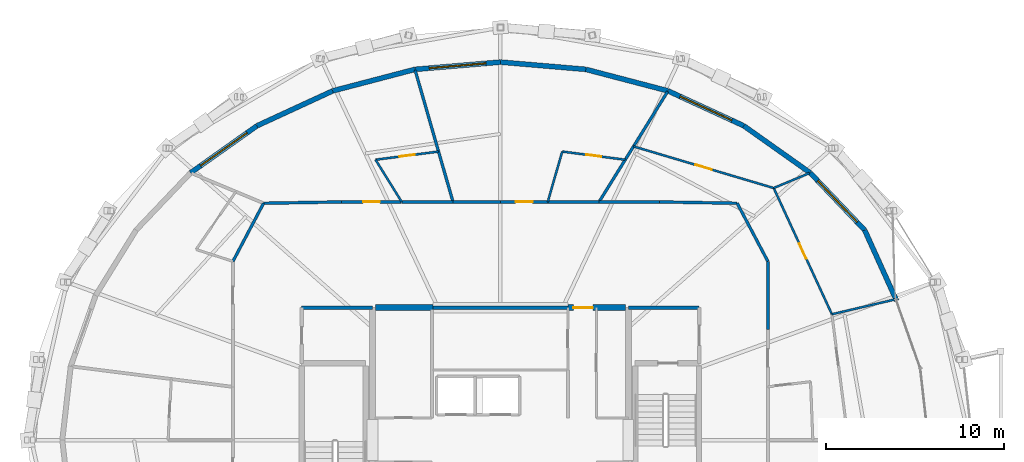
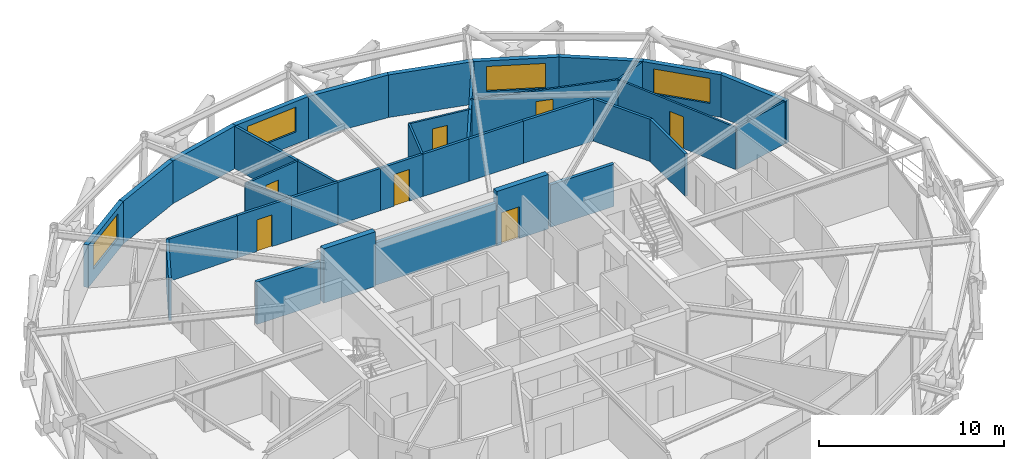
# One storey, part 15 of 17: 36 walls, 7 doors, 4 windows, 11 openings.
"""IFC4 building model written with IfcOpenShell, lengths in metres."""

from ifc_helpers import new_model, si_unit, direction, frame, frame_2d, origin, place, context, subcontext, project, spatial, rectangle, extrude, material, layer, layer_set, type_object, element, fill, save


model = new_model("IFC4")

# Units and contexts
model_context = context("Model", 3, precision=1e-05, world=origin(), true_north=direction((0.0, 1.0)))
body_context = subcontext(model_context, "Body", "Model", "MODEL_VIEW")
ifc_project = project(units=[si_unit("LENGTHUNIT", "METRE"), si_unit("AREAUNIT", "SQUARE_METRE"), si_unit("VOLUMEUNIT", "CUBIC_METRE"), si_unit("PLANEANGLEUNIT", "RADIAN"), si_unit("MASSUNIT", "GRAM", prefix="KILO")], contexts=[model_context])

# Site, building, storey
site_placement = place(None, origin())
site = spatial("IfcSite", under=ifc_project, at=site_placement, CompositionType="ELEMENT")
building_placement = place(site_placement, origin())
building = spatial("IfcBuilding", under=site, at=building_placement, Name="Veldorina Hangang Commons", CompositionType="ELEMENT")
storey_placement = place(building_placement, frame((0.0, 0.0, 196.39990234375)))
storey = spatial("IfcBuildingStorey", under=building, at=storey_placement, Name="L51", CompositionType="ELEMENT", Elevation=196.39990234375)

# Wall
ifc_material_1 = material(Name="Concrete C60/75", Category="concrete")
ifc_layer_1 = layer(ifc_material_1, 0.340087890625)
ifc_layer_set_1 = layer_set([ifc_layer_1], Name="Concrete C60/75")
wall_type_1 = type_object("IfcWallType", Name="CW-RC340-C60", PredefinedType="SHEAR", material=ifc_layer_set_1)
wall_1_placement = place(storey_placement, frame((24.969970703125, 31.449951171875, 0.0), z_axis=(0.0, 0.0, 1.0), x_axis=(1.0, 0.0, 0.0)))
element("IfcWall", 1, at=wall_1_placement, inside=storey, type_object=wall_type_1, Name="L51 north-west core shear wall", PredefinedType="SHEAR", context=body_context, shape_type="SweptSolid", body=[
    extrude(rectangle(XDim=3.22998046875, YDim=0.340087890625, at=frame_2d((1.614990234375, 0.0))), origin(), (0.0, 0.0, 1.0), 3.60009765625),
])

# Wall, opening, door
wall_2_placement = place(storey_placement, frame((35.800048828125, 31.449951171875, 0.0), z_axis=(0.0, 0.0, 1.0), x_axis=(1.0, 0.0, 0.0)))
wall_2 = element("IfcWall", 2, at=wall_2_placement, inside=storey, type_object=wall_type_1, Name="L51 north-east core shear wall", PredefinedType="SHEAR", context=body_context, shape_type="SweptSolid", body=[
    extrude(rectangle(XDim=3.22998046875, YDim=0.340087890625, at=frame_2d((1.614990234375, 0.0))), origin(), (0.0, 0.0, 1.0), 3.60009765625),
])
opening_1_placement = place(wall_2_placement, frame((0.300048828125, 0.0, 0.0)))
opening_1 = element("IfcOpeningElement", 3, at=opening_1_placement, cuts=wall_2, Name="Opening D-08", PredefinedType="OPENING", context=body_context, shape_type="SweptSolid", body=[
    extrude(rectangle(XDim=1.10009765625, YDim=2.10009765625, at=frame_2d((0.550048828125, 1.050048828125))), frame((0.0, 0.18017578125, 0.0), z_axis=(0.0, -1.0, 0.0), x_axis=(1.0, 0.0, 0.0)), (0.0, 0.0, 1.0), 0.360107421875),
])
ifc_material_2 = material(Name="Steel Fire-Rated Smoke Seal", Category="steel")
door_type_1 = type_object("IfcDoorType", Name="DR-FIRE-1100", OperationType="SINGLE_SWING_RIGHT", PredefinedType="DOOR", material=ifc_material_2)
door_1_placement = place(opening_1_placement, origin())
door_1 = element("IfcDoor", 4, at=door_1_placement, inside=storey, type_object=door_type_1, Name="L51 central lift lobby north corridor door", OperationType="SINGLE_SWING_LEFT", OverallHeight=2.10009765625, OverallWidth=1.10009765625, PredefinedType="DOOR", context=body_context, shape_type="SweptSolid", body=[
    extrude(rectangle(XDim=1.10009765625, YDim=2.10009765625, at=frame_2d((0.550048828125, 1.050048828125))), frame((0.0, 0.02490234375, 0.0), z_axis=(0.0, -1.0, 0.0), x_axis=(1.0, 0.0, 0.0)), (0.0, 0.0, 1.0), 0.050048828125),
])
fill(opening_1, door_1)

# Wall
ifc_material_3 = material(Name="Stone Roman Travertine", Category="masonry")
ifc_layer_2 = layer(ifc_material_3, 0.280029296875)
ifc_layer_set_2 = layer_set([ifc_layer_2], Name="Stone Roman Travertine")
wall_type_2 = type_object("IfcWallType", Name="EW-TRAV-280", PredefinedType="STANDARD", material=ifc_layer_set_2)
wall_3_placement = place(storey_placement, frame((54.2958984375, 31.840576171875, 0.0), z_axis=(0.0, 0.0, 1.0), x_axis=(-0.41225081931, 0.911070393536, 0.0)))
element("IfcWall", 5, at=wall_3_placement, inside=storey, type_object=wall_type_2, Name="L51 travertine facade wall 02", PredefinedType="STANDARD", context=body_context, shape_type="SweptSolid", body=[
    extrude(rectangle(XDim=4.36279296875, YDim=0.280029296875, at=frame_2d((2.181396484375, 0.0))), origin(), (0.0, 0.0, 1.0), 2.820068359375),
])

# Wall, opening, window
wall_4_placement = place(storey_placement, frame((52.497314453125, 35.8154296875, 0.0), z_axis=(0.0, 0.0, 1.0), x_axis=(-0.689241173538, 0.724531990115, 0.0)))
wall_4 = element("IfcWall", 6, at=wall_4_placement, inside=storey, type_object=wall_type_2, Name="L51 travertine facade wall 03", PredefinedType="STANDARD", context=body_context, shape_type="SweptSolid", body=[
    extrude(rectangle(XDim=4.4482421875, YDim=0.280029296875, at=frame_2d((2.22412109375, 0.0))), origin(), (0.0, 0.0, 1.0), 2.820068359375),
])
opening_2_placement = place(wall_4_placement, frame((0.6240234375, 0.0, 0.800048828125)))
opening_2 = element("IfcOpeningElement", 7, at=opening_2_placement, cuts=wall_4, Name="Opening W-01", PredefinedType="OPENING", context=body_context, shape_type="SweptSolid", body=[
    extrude(rectangle(XDim=3.199951171875, YDim=1.64990234375, at=frame_2d((1.60009765625, 0.824951171875))), frame((0.0, 0.14990234375, 0.0), z_axis=(0.0, -1.0, 0.0), x_axis=(1.0, 0.0, 0.0)), (0.0, 0.0, 1.0), 0.300048828125),
])
ifc_material_4 = material(Name="Glass Low-E Triple IGU", Category="glass")
window_type = type_object("IfcWindowType", Name="WIN-TWR-3200", PartitioningType="SINGLE_PANEL", PredefinedType="WINDOW", material=ifc_material_4)
window_1_placement = place(opening_2_placement, origin())
window_1 = element("IfcWindow", 8, at=window_1_placement, inside=storey, type_object=window_type, Name="L51 facade window 03", OverallHeight=1.64990234375, OverallWidth=3.199951171875, PartitioningType="SINGLE_PANEL", PredefinedType="WINDOW", context=body_context, shape_type="SweptSolid", body=[
    extrude(rectangle(XDim=3.199951171875, YDim=1.64990234375, at=frame_2d((1.60009765625, 0.824951171875))), frame((0.0, 0.030029296875, 0.0), z_axis=(0.0, -1.0, 0.0), x_axis=(1.0, 0.0, 0.0)), (0.0, 0.0, 1.0), 0.06005859375),
])
fill(opening_2, window_1)

# Wall
wall_5_placement = place(storey_placement, frame((49.431396484375, 39.038330078125, 0.0), z_axis=(0.0, 0.0, 1.0), x_axis=(-0.81615549773, 0.577832331672, 0.0)))
element("IfcWall", 9, at=wall_5_placement, inside=storey, type_object=wall_type_2, Name="L51 travertine facade wall 04", PredefinedType="STANDARD", context=body_context, shape_type="SweptSolid", body=[
    extrude(rectangle(XDim=4.5771484375, YDim=0.280029296875, at=frame_2d((2.28857421875, 0.0))), origin(), (0.0, 0.0, 1.0), 2.820068359375),
])

# Wall, opening, window
wall_6_placement = place(storey_placement, frame((45.69580078125, 41.68310546875, 0.0), z_axis=(0.0, 0.0, 1.0), x_axis=(-0.908099405027, 0.41875466635, 0.0)))
wall_6 = element("IfcWall", 10, at=wall_6_placement, inside=storey, type_object=wall_type_2, Name="L51 travertine facade wall 05", PredefinedType="STANDARD", context=body_context, shape_type="SweptSolid", body=[
    extrude(rectangle(XDim=4.693359375, YDim=0.280029296875, at=frame_2d((2.3466796875, 0.0))), origin(), (0.0, 0.0, 1.0), 2.820068359375),
])
opening_3_placement = place(wall_6_placement, frame((0.74658203125, 0.0, 0.800048828125)))
opening_3 = element("IfcOpeningElement", 11, at=opening_3_placement, cuts=wall_6, Name="Opening W-01", PredefinedType="OPENING", context=body_context, shape_type="SweptSolid", body=[
    extrude(rectangle(XDim=3.199951171875, YDim=1.64990234375, at=frame_2d((1.60009765625, 0.824951171875))), frame((0.0, 0.14990234375, 0.0), z_axis=(0.0, -1.0, 0.0), x_axis=(1.0, 0.0, 0.0)), (0.0, 0.0, 1.0), 0.300048828125),
])
window_2_placement = place(opening_3_placement, origin())
window_2 = element("IfcWindow", 12, at=window_2_placement, inside=storey, type_object=window_type, Name="L51 facade window 05", OverallHeight=1.64990234375, OverallWidth=3.199951171875, PartitioningType="SINGLE_PANEL", PredefinedType="WINDOW", context=body_context, shape_type="SweptSolid", body=[
    extrude(rectangle(XDim=3.199951171875, YDim=1.64990234375, at=frame_2d((1.60009765625, 0.824951171875))), frame((0.0, 0.030029296875, 0.0), z_axis=(0.0, -1.0, 0.0), x_axis=(1.0, 0.0, 0.0)), (0.0, 0.0, 1.0), 0.06005859375),
])
fill(opening_3, window_2)

# Walls
wall_7_placement = place(storey_placement, frame((41.433837890625, 43.6484375, 0.0), z_axis=(0.0, 0.0, 1.0), x_axis=(-0.967422274867, 0.253168209086, 0.0)))
element("IfcWall", 13, at=wall_7_placement, inside=storey, type_object=wall_type_2, Name="L51 travertine facade wall 06", PredefinedType="STANDARD", context=body_context, shape_type="SweptSolid", body=[
    extrude(rectangle(XDim=4.7802734375, YDim=0.280029296875, at=frame_2d((2.39013671875, 0.0))), origin(), (0.0, 0.0, 1.0), 2.820068359375),
])
wall_8_placement = place(storey_placement, frame((36.809326171875, 44.858642578125, 0.0), z_axis=(0.0, 0.0, 1.0), x_axis=(-0.996408729368, 0.084673750595, 0.0)))
element("IfcWall", 14, at=wall_8_placement, inside=storey, type_object=wall_type_2, Name="L51 travertine facade wall 07", PredefinedType="STANDARD", context=body_context, shape_type="SweptSolid", body=[
    extrude(rectangle(XDim=4.82666015625, YDim=0.280029296875, at=frame_2d((2.413330078125, 0.0))), origin(), (0.0, 0.0, 1.0), 2.820068359375),
])

# Wall, opening, window
wall_9_placement = place(storey_placement, frame((32.0, 45.267333984375, 0.0), z_axis=(0.0, 0.0, 1.0), x_axis=(-0.996408729368, -0.084673750595, 0.0)))
wall_9 = element("IfcWall", 15, at=wall_9_placement, inside=storey, type_object=wall_type_2, Name="L51 travertine facade wall 08", PredefinedType="STANDARD", context=body_context, shape_type="SweptSolid", body=[
    extrude(rectangle(XDim=4.82666015625, YDim=0.280029296875, at=frame_2d((2.413330078125, 0.0))), origin(), (0.0, 0.0, 1.0), 2.820068359375),
])
opening_4_placement = place(wall_9_placement, frame((0.813232421875, 0.0, 0.800048828125)))
opening_4 = element("IfcOpeningElement", 16, at=opening_4_placement, cuts=wall_9, Name="Opening W-01", PredefinedType="OPENING", context=body_context, shape_type="SweptSolid", body=[
    extrude(rectangle(XDim=3.199951171875, YDim=1.64990234375, at=frame_2d((1.60009765625, 0.824951171875))), frame((0.0, 0.14990234375, 0.0), z_axis=(0.0, -1.0, 0.0), x_axis=(1.0, 0.0, 0.0)), (0.0, 0.0, 1.0), 0.300048828125),
])
window_3_placement = place(opening_4_placement, origin())
window_3 = element("IfcWindow", 17, at=window_3_placement, inside=storey, type_object=window_type, Name="L51 facade window 08", OverallHeight=1.64990234375, OverallWidth=3.199951171875, PartitioningType="SINGLE_PANEL", PredefinedType="WINDOW", context=body_context, shape_type="SweptSolid", body=[
    extrude(rectangle(XDim=3.199951171875, YDim=1.64990234375, at=frame_2d((1.60009765625, 0.824951171875))), frame((0.0, 0.030029296875, 0.0), z_axis=(0.0, -1.0, 0.0), x_axis=(1.0, 0.0, 0.0)), (0.0, 0.0, 1.0), 0.06005859375),
])
fill(opening_4, window_3)

# Walls
wall_10_placement = place(storey_placement, frame((27.190673828125, 44.858642578125, 0.0), z_axis=(0.0, 0.0, 1.0), x_axis=(-0.967422274867, -0.253168209086, 0.0)))
element("IfcWall", 18, at=wall_10_placement, inside=storey, type_object=wall_type_2, Name="L51 travertine facade wall 09", PredefinedType="STANDARD", context=body_context, shape_type="SweptSolid", body=[
    extrude(rectangle(XDim=4.7802734375, YDim=0.280029296875, at=frame_2d((2.39013671875, 0.0))), origin(), (0.0, 0.0, 1.0), 2.820068359375),
])
wall_11_placement = place(storey_placement, frame((22.566162109375, 43.6484375, 0.0), z_axis=(0.0, 0.0, 1.0), x_axis=(-0.908099405027, -0.41875466635, 0.0)))
element("IfcWall", 19, at=wall_11_placement, inside=storey, type_object=wall_type_2, Name="L51 travertine facade wall 10", PredefinedType="STANDARD", context=body_context, shape_type="SweptSolid", body=[
    extrude(rectangle(XDim=4.693359375, YDim=0.280029296875, at=frame_2d((2.3466796875, 0.0))), origin(), (0.0, 0.0, 1.0), 2.820068359375),
])

# Wall, opening, window
wall_12_placement = place(storey_placement, frame((18.30419921875, 41.68310546875, 0.0), z_axis=(0.0, 0.0, 1.0), x_axis=(-0.81615549773, -0.577832331672, 0.0)))
wall_12 = element("IfcWall", 20, at=wall_12_placement, inside=storey, type_object=wall_type_2, Name="L51 travertine facade wall 11", PredefinedType="STANDARD", context=body_context, shape_type="SweptSolid", body=[
    extrude(rectangle(XDim=4.5771484375, YDim=0.280029296875, at=frame_2d((2.28857421875, 0.0))), origin(), (0.0, 0.0, 1.0), 2.820068359375),
])
opening_5_placement = place(wall_12_placement, frame((0.6884765625, 0.0, 0.800048828125)))
opening_5 = element("IfcOpeningElement", 21, at=opening_5_placement, cuts=wall_12, Name="Opening W-01", PredefinedType="OPENING", context=body_context, shape_type="SweptSolid", body=[
    extrude(rectangle(XDim=3.199951171875, YDim=1.64990234375, at=frame_2d((1.60009765625, 0.824951171875))), frame((0.0, 0.14990234375, 0.0), z_axis=(0.0, -1.0, 0.0), x_axis=(1.0, 0.0, 0.0)), (0.0, 0.0, 1.0), 0.300048828125),
])
window_4_placement = place(opening_5_placement, origin())
window_4 = element("IfcWindow", 22, at=window_4_placement, inside=storey, type_object=window_type, Name="L51 facade window 11", OverallHeight=1.64990234375, OverallWidth=3.199951171875, PartitioningType="SINGLE_PANEL", PredefinedType="WINDOW", context=body_context, shape_type="SweptSolid", body=[
    extrude(rectangle(XDim=3.199951171875, YDim=1.64990234375, at=frame_2d((1.60009765625, 0.824951171875))), frame((0.0, 0.030029296875, 0.0), z_axis=(0.0, -1.0, 0.0), x_axis=(1.0, 0.0, 0.0)), (0.0, 0.0, 1.0), 0.06005859375),
])
fill(opening_5, window_4)

# Walls
ifc_material_5 = material(Name="Gypsum Fire-Rated Twin Stud Wall", Category="gypsum")
ifc_layer_3 = layer(ifc_material_5, 0.159912109375)
ifc_layer_set_3 = layer_set([ifc_layer_3], Name="Gypsum Fire-Rated Twin Stud Wall")
wall_type_3 = type_object("IfcWallType", Name="WL-FIRE-160", PredefinedType="SOLIDWALL", material=ifc_layer_set_3)
wall_13_placement = place(storey_placement, frame((47.050048828125, 30.23388671875, 0.0), z_axis=(0.0, 0.0, 1.0), x_axis=(0.0, 1.0, 0.0)))
element("IfcWall", 23, at=wall_13_placement, inside=storey, type_object=wall_type_3, Name="L51 U-corridor outer wall 02 046", PredefinedType="SOLIDWALL", context=body_context, shape_type="SweptSolid", body=[
    extrude(rectangle(XDim=3.822265625, YDim=0.159912109375, at=frame_2d((1.9111328125, 0.0))), origin(), (0.0, 0.0, 1.0), 2.800048828125),
])
wall_14_placement = place(storey_placement, frame((47.050048828125, 34.05615234375, 0.0), z_axis=(0.0, 0.0, 1.0), x_axis=(-0.466737093093, 0.884396113702, 0.0)))
element("IfcWall", 24, at=wall_14_placement, inside=storey, type_object=wall_type_3, Name="L51 U-corridor outer wall 03 047", PredefinedType="SOLIDWALL", context=body_context, shape_type="SweptSolid", body=[
    extrude(rectangle(XDim=3.696044921875, YDim=0.159912109375, at=frame_2d((1.84814453125, 0.0))), origin(), (0.0, 0.0, 1.0), 2.800048828125),
])
wall_15_placement = place(storey_placement, frame((45.324951171875, 37.324951171875, 0.0), z_axis=(0.0, 0.0, 1.0), x_axis=(-0.999853038912, 0.017143528788, 0.0)))
element("IfcWall", 25, at=wall_15_placement, inside=storey, type_object=wall_type_3, Name="L51 U-corridor outer wall 04 048", PredefinedType="SOLIDWALL", context=body_context, shape_type="SweptSolid", body=[
    extrude(rectangle(XDim=4.3720703125, YDim=0.159912109375, at=frame_2d((2.18603515625, 0.0))), origin(), (0.0, 0.0, 1.0), 2.800048828125),
])
wall_16_placement = place(storey_placement, frame((40.95361328125, 37.39990234375, 0.0), z_axis=(0.0, 0.0, 1.0), x_axis=(-1.0, 0.0, 0.0)))
element("IfcWall", 26, at=wall_16_placement, inside=storey, type_object=wall_type_3, Name="L51 U-corridor outer wall 05 049", PredefinedType="SOLIDWALL", context=body_context, shape_type="SweptSolid", body=[
    extrude(rectangle(XDim=3.403076171875, YDim=0.159912109375, at=frame_2d((1.70166015625, 0.0))), origin(), (0.0, 0.0, 1.0), 2.800048828125),
])
wall_17_placement = place(storey_placement, frame((37.550537109375, 37.39990234375, 0.0), z_axis=(0.0, 0.0, 1.0), x_axis=(-1.0, 0.0, 0.0)))
element("IfcWall", 27, at=wall_17_placement, inside=storey, type_object=wall_type_3, Name="L51 U-corridor outer wall 06 050", PredefinedType="SOLIDWALL", context=body_context, shape_type="SweptSolid", body=[
    extrude(rectangle(XDim=2.88525390625, YDim=0.159912109375, at=frame_2d((1.442626953125, 0.0))), origin(), (0.0, 0.0, 1.0), 2.800048828125),
])

# Wall, opening, door
wall_18_placement = place(storey_placement, frame((34.665283203125, 37.39990234375, 0.0), z_axis=(0.0, 0.0, 1.0), x_axis=(-1.0, 0.0, 0.0)))
wall_18 = element("IfcWall", 28, at=wall_18_placement, inside=storey, type_object=wall_type_3, Name="L51 U-corridor outer wall 07 051", PredefinedType="SOLIDWALL", context=body_context, shape_type="SweptSolid", body=[
    extrude(rectangle(XDim=2.665283203125, YDim=0.159912109375, at=frame_2d((1.33251953125, 0.0))), origin(), (0.0, 0.0, 1.0), 2.800048828125),
])
opening_6_placement = place(wall_18_placement, frame((0.857666015625, 0.0, 0.0)))
opening_6 = element("IfcOpeningElement", 29, at=opening_6_placement, cuts=wall_18, Name="Opening D-03", PredefinedType="OPENING", context=body_context, shape_type="SweptSolid", body=[
    extrude(rectangle(XDim=0.949951171875, YDim=2.10009765625, at=frame_2d((0.47509765625, 1.050048828125))), frame((0.0, 0.08984375, 0.0), z_axis=(0.0, -1.0, 0.0), x_axis=(1.0, 0.0, 0.0)), (0.0, 0.0, 1.0), 0.179931640625),
])
ifc_material_6 = material(Name="Timber Fire-Rated Entrance Core", Category="wood")
door_type_2 = type_object("IfcDoorType", Name="DR-UNIT-950", OperationType="SINGLE_SWING_RIGHT", PredefinedType="DOOR", material=ifc_material_6)
door_2_placement = place(opening_6_placement, origin())
door_2 = element("IfcDoor", 30, at=door_2_placement, inside=storey, type_object=door_type_2, Name="L51 Studio 3 entrance door 024", OperationType="SINGLE_SWING_RIGHT", OverallHeight=2.10009765625, OverallWidth=0.949951171875, PredefinedType="DOOR", context=body_context, shape_type="SweptSolid", body=[
    extrude(rectangle(XDim=0.949951171875, YDim=2.10009765625, at=frame_2d((0.47509765625, 1.050048828125))), frame((0.0, 0.02490234375, 0.0), z_axis=(0.0, -1.0, 0.0), x_axis=(1.0, 0.0, 0.0)), (0.0, 0.0, 1.0), 0.050048828125),
])
fill(opening_6, door_2)

# Walls
wall_19_placement = place(storey_placement, frame((32.0, 37.39990234375, 0.0), z_axis=(0.0, 0.0, 1.0), x_axis=(-1.0, 0.0, 0.0)))
element("IfcWall", 31, at=wall_19_placement, inside=storey, type_object=wall_type_3, Name="L51 U-corridor outer wall 08 052", PredefinedType="SOLIDWALL", context=body_context, shape_type="SweptSolid", body=[
    extrude(rectangle(XDim=2.665283203125, YDim=0.159912109375, at=frame_2d((1.33251953125, 0.0))), origin(), (0.0, 0.0, 1.0), 2.800048828125),
])
wall_20_placement = place(storey_placement, frame((29.334716796875, 37.39990234375, 0.0), z_axis=(0.0, 0.0, 1.0), x_axis=(-1.0, 0.0, 0.0)))
element("IfcWall", 32, at=wall_20_placement, inside=storey, type_object=wall_type_3, Name="L51 U-corridor outer wall 09 053", PredefinedType="SOLIDWALL", context=body_context, shape_type="SweptSolid", body=[
    extrude(rectangle(XDim=2.88525390625, YDim=0.159912109375, at=frame_2d((1.442626953125, 0.0))), origin(), (0.0, 0.0, 1.0), 2.800048828125),
])

# Wall, opening, door
wall_21_placement = place(storey_placement, frame((26.449462890625, 37.39990234375, 0.0), z_axis=(0.0, 0.0, 1.0), x_axis=(-1.0, 0.0, 0.0)))
wall_21 = element("IfcWall", 33, at=wall_21_placement, inside=storey, type_object=wall_type_3, Name="L51 U-corridor outer wall 10 054", PredefinedType="SOLIDWALL", context=body_context, shape_type="SweptSolid", body=[
    extrude(rectangle(XDim=3.403076171875, YDim=0.159912109375, at=frame_2d((1.70166015625, 0.0))), origin(), (0.0, 0.0, 1.0), 2.800048828125),
])
opening_7_placement = place(wall_21_placement, frame((1.2265625, 0.0, 0.0)))
opening_7 = element("IfcOpeningElement", 34, at=opening_7_placement, cuts=wall_21, Name="Opening D-03", PredefinedType="OPENING", context=body_context, shape_type="SweptSolid", body=[
    extrude(rectangle(XDim=0.949951171875, YDim=2.10009765625, at=frame_2d((0.47509765625, 1.050048828125))), frame((0.0, 0.08984375, 0.0), z_axis=(0.0, -1.0, 0.0), x_axis=(1.0, 0.0, 0.0)), (0.0, 0.0, 1.0), 0.179931640625),
])
door_3_placement = place(opening_7_placement, origin())
door_3 = element("IfcDoor", 35, at=door_3_placement, inside=storey, type_object=door_type_2, Name="L51 Studio 4 entrance door 026", OperationType="SINGLE_SWING_RIGHT", OverallHeight=2.10009765625, OverallWidth=0.949951171875, PredefinedType="DOOR", context=body_context, shape_type="SweptSolid", body=[
    extrude(rectangle(XDim=0.949951171875, YDim=2.10009765625, at=frame_2d((0.47509765625, 1.050048828125))), frame((0.0, 0.02490234375, 0.0), z_axis=(0.0, -1.0, 0.0), x_axis=(1.0, 0.0, 0.0)), (0.0, 0.0, 1.0), 0.050048828125),
])
fill(opening_7, door_3)

# Walls
wall_22_placement = place(storey_placement, frame((23.04638671875, 37.39990234375, 0.0), z_axis=(0.0, 0.0, 1.0), x_axis=(-0.999853038912, -0.017143528788, 0.0)))
element("IfcWall", 36, at=wall_22_placement, inside=storey, type_object=wall_type_3, Name="L51 U-corridor outer wall 11 055", PredefinedType="SOLIDWALL", context=body_context, shape_type="SweptSolid", body=[
    extrude(rectangle(XDim=4.3720703125, YDim=0.159912109375, at=frame_2d((2.18603515625, 0.0))), origin(), (0.0, 0.0, 1.0), 2.800048828125),
])
wall_23_placement = place(storey_placement, frame((18.675048828125, 37.324951171875, 0.0), z_axis=(0.0, 0.0, 1.0), x_axis=(-0.466737093093, -0.884396113702, 0.0)))
element("IfcWall", 37, at=wall_23_placement, inside=storey, type_object=wall_type_3, Name="L51 U-corridor outer wall 12 056", PredefinedType="SOLIDWALL", context=body_context, shape_type="SweptSolid", body=[
    extrude(rectangle(XDim=3.696044921875, YDim=0.159912109375, at=frame_2d((1.84814453125, 0.0))), origin(), (0.0, 0.0, 1.0), 2.800048828125),
])
wall_24_placement = place(storey_placement, frame((37.550537109375, 37.39990234375, 0.0), z_axis=(0.0, 0.0, 1.0), x_axis=(0.527846838058, 0.849339576113, 0.0)))
element("IfcWall", 38, at=wall_24_placement, inside=storey, type_object=wall_type_3, Name="L51 Unit party wall 06 090", PredefinedType="SOLIDWALL", context=body_context, shape_type="SweptSolid", body=[
    extrude(rectangle(XDim=7.306884765625, YDim=0.159912109375, at=frame_2d((3.6533203125, 0.0))), origin(), (0.0, 0.0, 1.0), 2.800048828125),
])
wall_25_placement = place(storey_placement, frame((29.334716796875, 37.39990234375, 0.0), z_axis=(0.0, 0.0, 1.0), x_axis=(-0.276255514207, 0.961084226731, 0.0)))
element("IfcWall", 39, at=wall_25_placement, inside=storey, type_object=wall_type_3, Name="L51 Unit party wall 09 093", PredefinedType="SOLIDWALL", context=body_context, shape_type="SweptSolid", body=[
    extrude(rectangle(XDim=7.710693359375, YDim=0.159912109375, at=frame_2d((3.85546875, 0.0))), origin(), (0.0, 0.0, 1.0), 2.800048828125),
])
ifc_material_7 = material(Name="Concrete Blockwork Fire Wall C30/37", Category="masonry")
ifc_layer_4 = layer(ifc_material_7, 0.199951171875)
ifc_layer_set_4 = layer_set([ifc_layer_4], Name="Concrete Blockwork Fire Wall C30/37")
wall_type_4 = type_object("IfcWallType", Name="WL-FIRE-200", PredefinedType="SOLIDWALL", material=ifc_layer_set_4)
for number, where, z_axis, x_axis, name in (
    (40, (39.199951171875, 31.449951171875, 0.0), (0.0, 0.0, 1.0), (1.0, 0.0, 0.0), "L51 East vestibule north wall 004"),
    (41, (20.820068359375, 31.449951171875, 0.0), (0.0, 0.0, 1.0), (1.0, 0.0, 0.0), "L51 NW core room north wall 006"),
):
    element("IfcWall", number, at=place(storey_placement, frame(where, z_axis=z_axis, x_axis=x_axis)), inside=storey, type_object=wall_type_4, Name=name, PredefinedType="SOLIDWALL", context=body_context, shape_type="SweptSolid", body=[
        extrude(rectangle(XDim=3.97998046875, YDim=0.199951171875, at=frame_2d((1.989990234375, 0.0))), origin(), (0.0, 0.0, 1.0), 2.800048828125),
    ])
wall_26_placement = place(storey_placement, frame((28.199951171875, 31.449951171875, 0.0), z_axis=(0.0, 0.0, 1.0), x_axis=(1.0, 0.0, 0.0)))
element("IfcWall", 42, at=wall_26_placement, inside=storey, type_object=wall_type_4, Name="L51 Merged north core wall 031", PredefinedType="SOLIDWALL", context=body_context, shape_type="SweptSolid", body=[
    extrude(rectangle(XDim=7.60009765625, YDim=0.199951171875, at=frame_2d((3.800048828125, 0.0))), origin(), (0.0, 0.0, 1.0), 2.800048828125),
])

# Wall, opening, door
ifc_material_8 = material(Name="Gypsum Acoustic Stud Partition", Category="gypsum")
ifc_layer_5 = layer(ifc_material_8, 0.1201171875)
ifc_layer_set_5 = layer_set([ifc_layer_5], Name="Gypsum Acoustic Stud Partition")
wall_type_5 = type_object("IfcWallType", Name="WL-PART-120", PredefinedType="PARTITIONING", material=ifc_layer_set_5)
wall_27_placement = place(storey_placement, frame((50.654052734375, 31.0791015625, 0.0), z_axis=(0.0, 0.0, 1.0), x_axis=(-0.418798855395, 0.908079026693, 0.0)))
wall_27 = element("IfcWall", 43, at=wall_27_placement, inside=storey, type_object=wall_type_5, Name="L51 Cluster 2 bed 2 front wall 086", PredefinedType="PARTITIONING", context=body_context, shape_type="SweptSolid", body=[
    extrude(rectangle(XDim=7.821533203125, YDim=0.1201171875, at=frame_2d((3.91064453125, 0.0))), origin(), (0.0, 0.0, 1.0), 2.800048828125),
])
opening_8_placement = place(wall_27_placement, frame((3.435791015625, 0.0, 0.0)))
opening_8 = element("IfcOpeningElement", 44, at=opening_8_placement, cuts=wall_27, Name="Opening D-02", PredefinedType="OPENING", context=body_context, shape_type="SweptSolid", body=[
    extrude(rectangle(XDim=0.949951171875, YDim=2.10009765625, at=frame_2d((0.47509765625, 1.050048828125))), frame((0.0, 0.070068359375, 0.0), z_axis=(0.0, -1.0, 0.0), x_axis=(1.0, 0.0, 0.0)), (0.0, 0.0, 1.0), 0.14013671875),
])
ifc_material_9 = material(Name="Timber Solid Core Acoustic", Category="wood")
door_type_3 = type_object("IfcDoorType", Name="DR-INT-950", OperationType="SINGLE_SWING_LEFT", PredefinedType="DOOR", material=ifc_material_9)
door_4_placement = place(opening_8_placement, origin())
door_4 = element("IfcDoor", 45, at=door_4_placement, inside=storey, type_object=door_type_3, Name="L51 Cluster 2 bed 2 door 021", OperationType="SINGLE_SWING_LEFT", OverallHeight=2.10009765625, OverallWidth=0.949951171875, PredefinedType="DOOR", context=body_context, shape_type="SweptSolid", body=[
    extrude(rectangle(XDim=0.949951171875, YDim=2.10009765625, at=frame_2d((0.47509765625, 1.050048828125))), frame((0.0, 0.02490234375, 0.0), z_axis=(0.0, -1.0, 0.0), x_axis=(1.0, 0.0, 0.0)), (0.0, 0.0, 1.0), 0.050048828125),
])
fill(opening_8, door_4)

# Wall
wall_28_placement = place(storey_placement, frame((50.654052734375, 31.0791015625, 0.0), z_axis=(0.0, 0.0, 1.0), x_axis=(0.973586130085, 0.228320054542, 0.0)))
element("IfcWall", 46, at=wall_28_placement, inside=storey, type_object=wall_type_5, Name="L51 Cluster 2 bed divider 1 087", PredefinedType="PARTITIONING", context=body_context, shape_type="SweptSolid", body=[
    extrude(rectangle(XDim=3.651611328125, YDim=0.1201171875, at=frame_2d((1.82568359375, 0.0))), origin(), (0.0, 0.0, 1.0), 2.800048828125),
])

# Wall, opening, door
wall_29_placement = place(storey_placement, frame((47.37841796875, 38.181640625, 0.0), z_axis=(0.0, 0.0, 1.0), x_axis=(-0.958603589204, 0.284744023231, 0.0)))
wall_29 = element("IfcWall", 47, at=wall_29_placement, inside=storey, type_object=wall_type_5, Name="L51 Cluster 2 bed 3 front wall 088", PredefinedType="PARTITIONING", context=body_context, shape_type="SweptSolid", body=[
    extrude(rectangle(XDim=8.226806640625, YDim=0.1201171875, at=frame_2d((4.11328125, 0.0))), origin(), (0.0, 0.0, 1.0), 2.800048828125),
])
opening_9_placement = place(wall_29_placement, frame((3.63818359375, 0.0, 0.0)))
opening_9 = element("IfcOpeningElement", 48, at=opening_9_placement, cuts=wall_29, Name="Opening D-02", PredefinedType="OPENING", context=body_context, shape_type="SweptSolid", body=[
    extrude(rectangle(XDim=0.949951171875, YDim=2.10009765625, at=frame_2d((0.47509765625, 1.050048828125))), frame((0.0, 0.070068359375, 0.0), z_axis=(0.0, -1.0, 0.0), x_axis=(1.0, 0.0, 0.0)), (0.0, 0.0, 1.0), 0.14013671875),
])
door_5_placement = place(opening_9_placement, origin())
door_5 = element("IfcDoor", 49, at=door_5_placement, inside=storey, type_object=door_type_3, Name="L51 Cluster 2 bed 3 door 022", OperationType="SINGLE_SWING_RIGHT", OverallHeight=2.10009765625, OverallWidth=0.949951171875, PredefinedType="DOOR", context=body_context, shape_type="SweptSolid", body=[
    extrude(rectangle(XDim=0.949951171875, YDim=2.10009765625, at=frame_2d((0.47509765625, 1.050048828125))), frame((0.0, 0.02490234375, 0.0), z_axis=(0.0, -1.0, 0.0), x_axis=(1.0, 0.0, 0.0)), (0.0, 0.0, 1.0), 0.050048828125),
])
fill(opening_9, door_5)

# Wall
wall_30_placement = place(storey_placement, frame((47.37841796875, 38.181640625, 0.0), z_axis=(0.0, 0.0, 1.0), x_axis=(0.92289414644, 0.385053755296, 0.0)))
element("IfcWall", 50, at=wall_30_placement, inside=storey, type_object=wall_type_5, Name="L51 Cluster 2 bed divider 2 089", PredefinedType="PARTITIONING", context=body_context, shape_type="SweptSolid", body=[
    extrude(rectangle(XDim=2.1748046875, YDim=0.1201171875, at=frame_2d((1.08740234375, 0.0))), origin(), (0.0, 0.0, 1.0), 2.800048828125),
])

# Wall, opening, door
wall_31_placement = place(storey_placement, frame((39.026123046875, 39.7744140625, 0.0), z_axis=(0.0, 0.0, 1.0), x_axis=(-0.991692671257, 0.128629879012, 0.0)))
wall_31 = element("IfcWall", 51, at=wall_31_placement, inside=storey, type_object=wall_type_5, Name="L51 Studio 3 bath front wall 091", PredefinedType="PARTITIONING", context=body_context, shape_type="SweptSolid", body=[
    extrude(rectangle(XDim=3.575927734375, YDim=0.1201171875, at=frame_2d((1.7880859375, 0.0))), origin(), (0.0, 0.0, 1.0), 2.800048828125),
])
opening_10_placement = place(wall_31_placement, frame((1.35791015625, 0.0, 0.0)))
opening_10 = element("IfcOpeningElement", 52, at=opening_10_placement, cuts=wall_31, Name="Opening D-01", PredefinedType="OPENING", context=body_context, shape_type="SweptSolid", body=[
    extrude(rectangle(XDim=0.860107421875, YDim=2.10009765625, at=frame_2d((0.43017578125, 1.050048828125))), frame((0.0, 0.070068359375, 0.0), z_axis=(0.0, -1.0, 0.0), x_axis=(1.0, 0.0, 0.0)), (0.0, 0.0, 1.0), 0.14013671875),
])
ifc_material_10 = material(Name="Timber Moisture-Resistant Core", Category="wood")
door_type_4 = type_object("IfcDoorType", Name="DR-WET-860", OperationType="SINGLE_SWING_LEFT", PredefinedType="DOOR", material=ifc_material_10)
door_6_placement = place(opening_10_placement, origin())
door_6 = element("IfcDoor", 53, at=door_6_placement, inside=storey, type_object=door_type_4, Name="L51 Studio 3 bathroom door 023", OperationType="SINGLE_SWING_LEFT", OverallHeight=2.10009765625, OverallWidth=0.860107421875, PredefinedType="DOOR", context=body_context, shape_type="SweptSolid", body=[
    extrude(rectangle(XDim=0.860107421875, YDim=2.10009765625, at=frame_2d((0.43017578125, 1.050048828125))), frame((0.0, 0.02490234375, 0.0), z_axis=(0.0, -1.0, 0.0), x_axis=(1.0, 0.0, 0.0)), (0.0, 0.0, 1.0), 0.050048828125),
])
fill(opening_10, door_6)

# Wall
wall_32_placement = place(storey_placement, frame((34.665283203125, 37.39990234375, 0.0), z_axis=(0.0, 0.0, 1.0), x_axis=(0.27624052074, 0.961088536349, 0.0)))
element("IfcWall", 54, at=wall_32_placement, inside=storey, type_object=wall_type_5, Name="L51 Studio 3 bath side wall 092", PredefinedType="PARTITIONING", context=body_context, shape_type="SweptSolid", body=[
    extrude(rectangle(XDim=2.94921875, YDim=0.1201171875, at=frame_2d((1.474609375, 0.0))), origin(), (0.0, 0.0, 1.0), 2.800048828125),
])

# Wall, opening, door
wall_33_placement = place(storey_placement, frame((28.52001953125, 40.234375, 0.0), z_axis=(0.0, 0.0, 1.0), x_axis=(-0.991692671257, -0.128629879012, 0.0)))
wall_33 = element("IfcWall", 55, at=wall_33_placement, inside=storey, type_object=wall_type_5, Name="L51 Studio 4 bath front wall 094", PredefinedType="PARTITIONING", context=body_context, shape_type="SweptSolid", body=[
    extrude(rectangle(XDim=3.575927734375, YDim=0.1201171875, at=frame_2d((1.7880859375, 0.0))), origin(), (0.0, 0.0, 1.0), 2.800048828125),
])
opening_11_placement = place(wall_33_placement, frame((1.35791015625, 0.0, 0.0)))
opening_11 = element("IfcOpeningElement", 56, at=opening_11_placement, cuts=wall_33, Name="Opening D-01", PredefinedType="OPENING", context=body_context, shape_type="SweptSolid", body=[
    extrude(rectangle(XDim=0.860107421875, YDim=2.10009765625, at=frame_2d((0.43017578125, 1.050048828125))), frame((0.0, 0.070068359375, 0.0), z_axis=(0.0, -1.0, 0.0), x_axis=(1.0, 0.0, 0.0)), (0.0, 0.0, 1.0), 0.14013671875),
])
door_7_placement = place(opening_11_placement, origin())
door_7 = element("IfcDoor", 57, at=door_7_placement, inside=storey, type_object=door_type_4, Name="L51 Studio 4 bathroom door 025", OperationType="SINGLE_SWING_LEFT", OverallHeight=2.10009765625, OverallWidth=0.860107421875, PredefinedType="DOOR", context=body_context, shape_type="SweptSolid", body=[
    extrude(rectangle(XDim=0.860107421875, YDim=2.10009765625, at=frame_2d((0.43017578125, 1.050048828125))), frame((0.0, 0.02490234375, 0.0), z_axis=(0.0, -1.0, 0.0), x_axis=(1.0, 0.0, 0.0)), (0.0, 0.0, 1.0), 0.050048828125),
])
fill(opening_11, door_7)

# Wall
wall_34_placement = place(storey_placement, frame((26.449462890625, 37.39990234375, 0.0), z_axis=(0.0, 0.0, 1.0), x_axis=(-0.527814947617, 0.849359394527, 0.0)))
element("IfcWall", 58, at=wall_34_placement, inside=storey, type_object=wall_type_5, Name="L51 Studio 4 bath side wall 095", PredefinedType="PARTITIONING", context=body_context, shape_type="SweptSolid", body=[
    extrude(rectangle(XDim=2.795654296875, YDim=0.1201171875, at=frame_2d((1.39794921875, 0.0))), origin(), (0.0, 0.0, 1.0), 2.800048828125),
])

save(model, "model.ifc")
